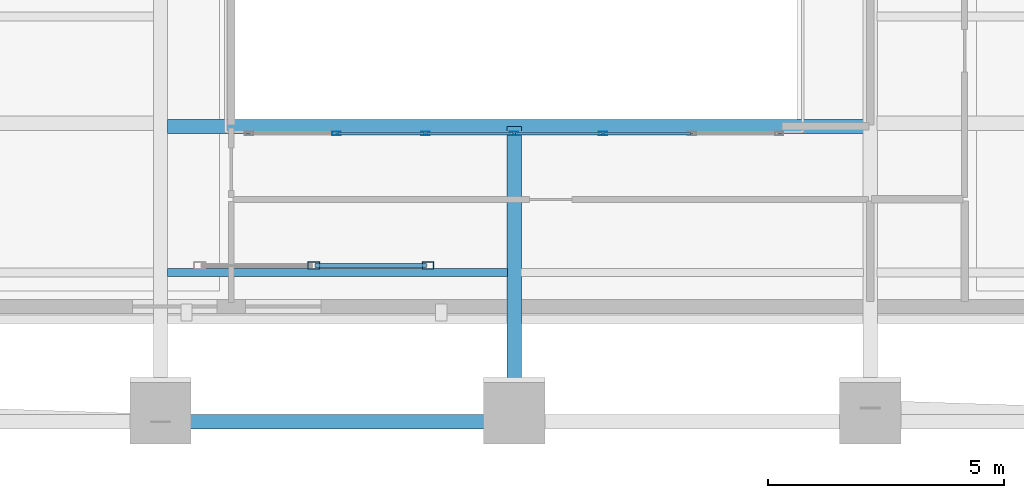
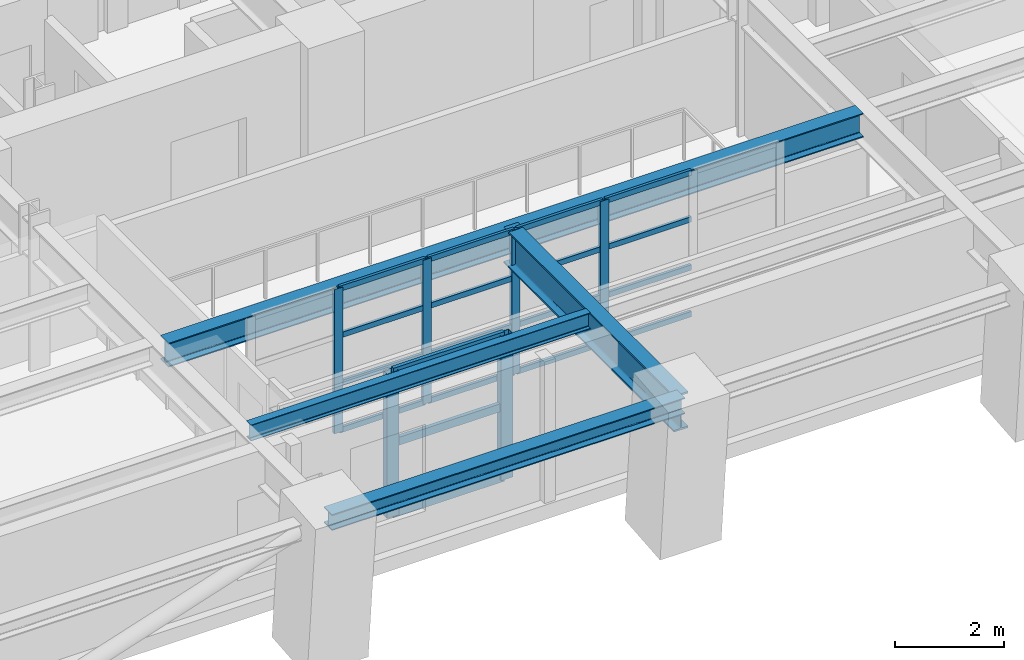
# One storey, part 3 of 15: 25 members, 4 beams, 2 elements without a shape of their own.
"""IFC4 building model written with IfcOpenShell, lengths in metres."""

import ifcopenshell
import ifcopenshell.guid

model = None  # the IFC model being written
_history = None  # IfcOwnerHistory: only IFC2X3 demands one
_inside = {}  # id of a spatial element -> (the spatial element, [elements in it])
_under = {}  # id of a project, library or spatial element -> (it, [spatial elements below it])
_declared = {}  # id of a project -> (the project, [libraries it declares])
_typed = {}  # id of a type object -> (the type object, [elements of that type])
_made_of = {}  # id of a material, layer set ... -> (it, [elements and type objects made of it])


def new_model(schema):
    """Start an empty IFC model of exactly this schema.

    Asked for "IFC4X3", IfcOpenShell would pick the latest addendum, in which some entities
    have other attributes; the version numbers below select the first issue.
    IFC2X3 requires an IfcOwnerHistory on every rooted entity: one is made here for all.
    """
    global model, _history
    if schema == "IFC4X3":
        model = ifcopenshell.file(schema_version=(4, 3, 0, 0))
    else:
        model = ifcopenshell.file(schema=schema)
    _inside.clear()
    _under.clear()
    _declared.clear()
    _typed.clear()
    _made_of.clear()
    _history = None
    if model.schema == "IFC2X3":
        org = make("IfcOrganization", Name="unknown")
        user = make(
            "IfcPersonAndOrganization",
            ThePerson=make("IfcPerson", FamilyName="unknown"),
            TheOrganization=org,
        )
        app = make(
            "IfcApplication",
            ApplicationDeveloper=org,
            Version="unknown",
            ApplicationFullName="unknown",
            ApplicationIdentifier="unknown",
        )
        _history = make(
            "IfcOwnerHistory",
            OwningUser=user,
            OwningApplication=app,
            ChangeAction="ADDED",
            CreationDate=0,
        )
    return model


def make(cls, **values):
    """One entity of the class cls with the attributes given. An attribute that is None is left unset."""
    return model.create_entity(
        cls, **{name: value for name, value in values.items() if value is not None}
    )


def rooted(cls, **values):
    """An entity with a GlobalId (a new one), such as an element, a storey or a relation."""
    return make(cls, GlobalId=ifcopenshell.guid.new(), OwnerHistory=_history, **values)


def si_unit(unit_type, name, prefix=None):
    """IfcSIUnit, for example si_unit("LENGTHUNIT", "METRE", prefix="MILLI")."""
    return make("IfcSIUnit", UnitType=unit_type, Prefix=prefix, Name=name)


def assignment(units):
    """IfcUnitAssignment: the units of a project."""
    return None if units is None else make("IfcUnitAssignment", Units=units)


def point(xyz):
    """IfcCartesianPoint."""
    return None if xyz is None else make("IfcCartesianPoint", Coordinates=xyz)


def direction(xyz):
    """IfcDirection."""
    return None if xyz is None else make("IfcDirection", DirectionRatios=xyz)


def frame(location, z_axis=None, x_axis=None):
    """IfcAxis2Placement3D, a coordinate frame: its origin and axes. An axis left out is left unset."""
    return make(
        "IfcAxis2Placement3D",
        Location=point(location),
        Axis=direction(z_axis),
        RefDirection=direction(x_axis),
    )


def frame_2d(location, x_axis=None):
    """IfcAxis2Placement2D, a coordinate frame in the plane: its origin and x axis."""
    return make(
        "IfcAxis2Placement2D", Location=point(location), RefDirection=direction(x_axis)
    )


def origin():
    """The frame at (0, 0, 0) with its axes left unset."""
    return frame((0.0, 0.0, 0.0))


def origin_2d():
    """The frame at (0, 0) in the plane with its x axis left unset."""
    return frame_2d((0.0, 0.0))


def place(relative_to, where):
    """IfcLocalPlacement: puts the frame where relative to a parent placement (None: the world)."""
    return make(
        "IfcLocalPlacement", PlacementRelTo=relative_to, RelativePlacement=where
    )


def context(
    kind, dimensions, precision=None, world=None, true_north=None, identifier=None
):
    """IfcGeometricRepresentationContext, for example the 3D "Model" context."""
    return make(
        "IfcGeometricRepresentationContext",
        ContextIdentifier=identifier,
        ContextType=kind,
        CoordinateSpaceDimension=dimensions,
        Precision=precision,
        WorldCoordinateSystem=world,
        TrueNorth=true_north,
    )


def subcontext(parent, identifier, kind, view, scale=None):
    """IfcGeometricRepresentationSubContext, for example "Body" below "Model"."""
    return make(
        "IfcGeometricRepresentationSubContext",
        ContextIdentifier=identifier,
        ContextType=kind,
        ParentContext=parent,
        TargetScale=scale,
        TargetView=view,
    )


def project(units=None, contexts=None):
    """IfcProject with its units and contexts."""
    return rooted(
        "IfcProject",
        Name="project",
        RepresentationContexts=contexts,
        UnitsInContext=assignment(units),
    )


def spatial(cls, under=None, at=None, **own):
    """A site, building, storey or space (cls), placed at a placement, below another one or the project."""
    s = rooted(cls, ObjectPlacement=at, **own)
    if under is not None:
        _under.setdefault(under.id(), (under, []))[1].append(s)
    return s


def profile(cls, at=None, kind="AREA", **sizes):
    """A parametric profile (cls). Its sizes go by their IFC names, for example OverallWidth=200.0."""
    return make(cls, ProfileType=kind, Position=at, **sizes)


def hollow_rectangle(**sizes):
    """IfcRectangleHollowProfileDef."""
    return profile("IfcRectangleHollowProfileDef", **sizes)


def i_section(**sizes):
    """IfcIShapeProfileDef."""
    return profile("IfcIShapeProfileDef", **sizes)


def extrude(swept, where, along, depth):
    """IfcExtrudedAreaSolid: the profile swept, set in the frame where, extruded along a direction by depth."""
    return make(
        "IfcExtrudedAreaSolid",
        SweptArea=swept,
        Position=where,
        ExtrudedDirection=direction(along),
        Depth=depth,
    )


def shape(context_of_items, identifier, shape_type, items):
    """IfcShapeRepresentation: the items that make up one representation, for example the "Body"."""
    return make(
        "IfcShapeRepresentation",
        ContextOfItems=context_of_items,
        RepresentationIdentifier=identifier,
        RepresentationType=shape_type,
        Items=items,
    )


def material(Name=None, Category=None):
    """IfcMaterial."""
    return make("IfcMaterial", Name=Name, Category=Category)


def layer(
    of_material, thickness, ventilated=None, Name=None, Category=None, Priority=None
):
    """IfcMaterialLayer: one layer of a wall or slab, of a material (None: an air gap)."""
    return make(
        "IfcMaterialLayer",
        Material=of_material,
        LayerThickness=thickness,
        IsVentilated=ventilated,
        Name=Name,
        Category=Category,
        Priority=Priority,
    )


def layer_set(layers, Name=None):
    """IfcMaterialLayerSet."""
    return make("IfcMaterialLayerSet", MaterialLayers=layers, LayerSetName=Name)


def material_profile(
    of_material, cross_section, Name=None, Category=None, Priority=None
):
    """IfcMaterialProfile: a cross section and its material."""
    return make(
        "IfcMaterialProfile",
        Name=Name,
        Material=of_material,
        Profile=cross_section,
        Priority=Priority,
        Category=Category,
    )


def profile_set(profiles, Name=None, composite=None):
    """IfcMaterialProfileSet."""
    return make(
        "IfcMaterialProfileSet",
        Name=Name,
        MaterialProfiles=profiles,
        CompositeProfile=composite,
    )


def made_of(thing, what):
    """Note that an element or type object is made of a material, layer set ...; save() writes the relation."""
    if what is not None:
        _made_of.setdefault(what.id(), (what, []))[1].append(thing)
    return thing


def type_object(cls, material=None, **own):
    """A type object (cls), such as IfcWallType, which elements share."""
    return made_of(rooted(cls, **own), material)


def element(
    cls,
    number,
    at=None,
    inside=None,
    cuts=None,
    type_object=None,
    material=None,
    context=None,
    identifier="Body",
    shape_type=None,
    held_by="IfcProductDefinitionShape",
    body=None,
    shapes=None,
    **own,
):
    """One element of the class cls, such as IfcWall. Its Tag is "e" and its number.

    at: its placement. inside: the storey or other place that contains it. cuts: it is an
    opening in that element (IfcRelVoidsElement). A single representation is given by context,
    identifier, shape_type and body (its items); several are given by shapes. held_by: the class
    of the entity that holds the representations. save() writes the other relations.
    """
    e = rooted(cls, Tag="e%d" % number, ObjectPlacement=at, **own)
    if body is not None:
        shapes = [shape(context, identifier, shape_type, body)]
    if shapes is not None:
        e.Representation = make(held_by, Representations=shapes)
    if inside is not None:
        _inside.setdefault(inside.id(), (inside, []))[1].append(e)
    if cuts is not None:
        rooted(
            "IfcRelVoidsElement", RelatingBuildingElement=cuts, RelatedOpeningElement=e
        )
    if type_object is not None:
        _typed.setdefault(type_object.id(), (type_object, []))[1].append(e)
    return made_of(e, material)


def aggregate(whole, parts):
    """IfcRelAggregates: a whole, such as a stair, and the parts it consists of."""
    return rooted("IfcRelAggregates", RelatingObject=whole, RelatedObjects=parts)


def save(model, path):
    """Write the relations noted so far, then the file.

    IfcRelAggregates (storeys below a building ...), IfcRelContainedInSpatialStructure (elements
    in a storey), IfcRelDefinesByType, IfcRelAssociatesMaterial and IfcRelDeclares: one each for
    every whole, place, type object, material and project.
    """
    for whole, parts in _under.values():
        aggregate(whole, parts)
    for where, things in _inside.values():
        rooted(
            "IfcRelContainedInSpatialStructure",
            RelatedElements=things,
            RelatingStructure=where,
        )
    for kind, things in _typed.values():
        rooted("IfcRelDefinesByType", RelatedObjects=things, RelatingType=kind)
    for what, things in _made_of.values():
        rooted("IfcRelAssociatesMaterial", RelatedObjects=things, RelatingMaterial=what)
    for by, libraries in _declared.values():
        rooted("IfcRelDeclares", RelatingContext=by, RelatedDefinitions=libraries)
    model.write(path)


model = new_model("IFC4")

# Units and contexts
model_context = context("Model", 3, precision=1e-05, world=origin(), true_north=direction((0.0, 1.0)))
body_context = subcontext(model_context, "Body", "Model", "MODEL_VIEW")
ifc_project = project(units=[si_unit("LENGTHUNIT", "METRE"), si_unit("AREAUNIT", "SQUARE_METRE"), si_unit("VOLUMEUNIT", "CUBIC_METRE"), si_unit("PLANEANGLEUNIT", "RADIAN"), si_unit("MASSUNIT", "GRAM", prefix="KILO")], contexts=[model_context])

# Site, building, storey
site_placement = place(None, origin())
site = spatial("IfcSite", under=ifc_project, at=site_placement, CompositionType="ELEMENT")
building_placement = place(site_placement, origin())
building = spatial("IfcBuilding", under=site, at=building_placement, Name="Zarnavel Station Tower", CompositionType="ELEMENT")
storey_placement = place(building_placement, frame((0.0, 0.0, 125.800048828125)))
storey = spatial("IfcBuildingStorey", under=building, at=storey_placement, Name="L34", CompositionType="ELEMENT", Elevation=125.800048828125)

# Curtain wall, members
ifc_material_1 = material(Name="Aluminium Dark Anodised and Solar-Control Glass", Category="aluminium")
ifc_layer_1 = layer(ifc_material_1, 0.179931640625)
ifc_layer_set_1 = layer_set([ifc_layer_1], Name="CWS3")
curtain_wall_type_1 = type_object("IfcCurtainWallType", Name="CWS3", PredefinedType="NOTDEFINED", material=ifc_layer_set_1)
curtain_wall_1_placement = place(storey_placement, origin())
curtain_wall_1 = element("IfcCurtainWall", 1, at=curtain_wall_1_placement, inside=storey, type_object=curtain_wall_type_1, Name="L34 Curtain Wall CWS3-L34-AS", PredefinedType="NOTDEFINED")
ifc_material_2 = material(Name="Steel S355J2 (Black Fluoropolymer Coated)", Category="steel")
ifc_material_profile_1 = material_profile(ifc_material_2, hollow_rectangle(XDim=0.080078125, YDim=0.179931640625, WallThickness=0.00634765625, at=origin_2d()), Name="RHS180x80x6.3")
ifc_profile_set_1 = profile_set([ifc_material_profile_1], Name="Steel S355J2 (Black Fluoropolymer Coated)")
member_type_1 = type_object("IfcMemberType", Name="CWS3_MUL", PredefinedType="MULLION", material=ifc_profile_set_1)
member_1_placement = place(storey_placement, frame((25.033447265625, 20.64990234375, 0.0), z_axis=(0.0, 0.0, 1.0), x_axis=(0.0, 1.0, 0.0)))
member_1 = element("IfcMember", 2, at=member_1_placement, type_object=member_type_1, Name="CW3 mullion 2", PredefinedType="MULLION", context=body_context, shape_type="SweptSolid", body=[
    extrude(hollow_rectangle(XDim=0.080078125, YDim=0.179931640625, WallThickness=0.00634765625, at=origin_2d()), origin(), (0.0, 0.0, 1.0), 3.239990234375),
])
member_2_placement = place(storey_placement, frame((26.916748046875, 20.64990234375, 0.0), z_axis=(0.0, 0.0, 1.0), x_axis=(0.0, 1.0, 0.0)))
member_2 = element("IfcMember", 3, at=member_2_placement, type_object=member_type_1, Name="CW3 mullion 3", PredefinedType="MULLION", context=body_context, shape_type="SweptSolid", body=[
    extrude(hollow_rectangle(XDim=0.080078125, YDim=0.179931640625, WallThickness=0.00634765625, at=origin_2d()), origin(), (0.0, 0.0, 1.0), 3.239990234375),
])
member_3_placement = place(storey_placement, frame((28.800048828125, 20.64990234375, 0.0), z_axis=(0.0, 0.0, 1.0), x_axis=(0.0, 1.0, 0.0)))
member_3 = element("IfcMember", 4, at=member_3_placement, type_object=member_type_1, Name="CW3 mullion 4", PredefinedType="MULLION", context=body_context, shape_type="SweptSolid", body=[
    extrude(hollow_rectangle(XDim=0.080078125, YDim=0.179931640625, WallThickness=0.00634765625, at=origin_2d()), origin(), (0.0, 0.0, 1.0), 3.239990234375),
])
member_4_placement = place(storey_placement, frame((30.683349609375, 20.64990234375, 0.0), z_axis=(0.0, 0.0, 1.0), x_axis=(0.0, 1.0, 0.0)))
member_4 = element("IfcMember", 5, at=member_4_placement, type_object=member_type_1, Name="CW3 mullion 5", PredefinedType="MULLION", context=body_context, shape_type="SweptSolid", body=[
    extrude(hollow_rectangle(XDim=0.080078125, YDim=0.179931640625, WallThickness=0.00634765625, at=origin_2d()), origin(), (0.0, 0.0, 1.0), 3.239990234375),
])
ifc_material_3 = material(Name="Steel S355J2 (Black Fluoropolymer Coated)", Category="steel")
ifc_material_profile_2 = material_profile(ifc_material_3, hollow_rectangle(XDim=0.06005859375, YDim=0.1201171875, WallThickness=0.0048828125, at=origin_2d()), Name="RHS120x60x5")
ifc_profile_set_2 = profile_set([ifc_material_profile_2], Name="Steel S355J2 (Black Fluoropolymer Coated)")
member_type_2 = type_object("IfcMemberType", Name="CWS3_TRN", PredefinedType="USERDEFINED", material=ifc_profile_set_2)
member_5_placement = place(storey_placement, frame((25.063232421875, 20.64990234375, 0.030029296875), z_axis=(1.0, 0.0, 0.0), x_axis=(0.0, 1.0, 0.0)))
member_5 = element("IfcMember", 6, at=member_5_placement, type_object=member_type_2, Name="CW3 transom 2.1", ObjectType="TRANSOM", PredefinedType="USERDEFINED", context=body_context, shape_type="SweptSolid", body=[
    extrude(hollow_rectangle(XDim=0.06005859375, YDim=0.1201171875, WallThickness=0.0048828125, at=origin_2d()), origin(), (0.0, 0.0, 1.0), 1.823486328125),
])
member_6_placement = place(storey_placement, frame((25.063232421875, 20.64990234375, 1.079833984375), z_axis=(1.0, 0.0, 0.0), x_axis=(0.0, 1.0, 0.0)))
member_6 = element("IfcMember", 7, at=member_6_placement, type_object=member_type_2, Name="CW3 transom 2.2", ObjectType="TRANSOM", PredefinedType="USERDEFINED", context=body_context, shape_type="SweptSolid", body=[
    extrude(hollow_rectangle(XDim=0.06005859375, YDim=0.1201171875, WallThickness=0.0048828125, at=origin_2d()), origin(), (0.0, 0.0, 1.0), 1.823486328125),
])
member_7_placement = place(storey_placement, frame((25.063232421875, 20.64990234375, 2.159912109375), z_axis=(1.0, 0.0, 0.0), x_axis=(0.0, 1.0, 0.0)))
member_7 = element("IfcMember", 8, at=member_7_placement, type_object=member_type_2, Name="CW3 transom 2.3", ObjectType="TRANSOM", PredefinedType="USERDEFINED", context=body_context, shape_type="SweptSolid", body=[
    extrude(hollow_rectangle(XDim=0.06005859375, YDim=0.1201171875, WallThickness=0.0048828125, at=origin_2d()), origin(), (0.0, 0.0, 1.0), 1.823486328125),
])
member_8_placement = place(storey_placement, frame((25.063232421875, 20.64990234375, 3.2099609375), z_axis=(1.0, 0.0, 0.0), x_axis=(0.0, 1.0, 0.0)))
member_8 = element("IfcMember", 9, at=member_8_placement, type_object=member_type_2, Name="CW3 transom 2.4", ObjectType="TRANSOM", PredefinedType="USERDEFINED", context=body_context, shape_type="SweptSolid", body=[
    extrude(hollow_rectangle(XDim=0.06005859375, YDim=0.1201171875, WallThickness=0.0048828125, at=origin_2d()), origin(), (0.0, 0.0, 1.0), 1.823486328125),
])
member_9_placement = place(storey_placement, frame((26.94677734375, 20.64990234375, 0.030029296875), z_axis=(1.0, 0.0, 0.0), x_axis=(0.0, 1.0, 0.0)))
member_9 = element("IfcMember", 10, at=member_9_placement, type_object=member_type_2, Name="CW3 transom 3.1", ObjectType="TRANSOM", PredefinedType="USERDEFINED", context=body_context, shape_type="SweptSolid", body=[
    extrude(hollow_rectangle(XDim=0.06005859375, YDim=0.1201171875, WallThickness=0.0048828125, at=origin_2d()), origin(), (0.0, 0.0, 1.0), 1.8232421875),
])
member_10_placement = place(storey_placement, frame((26.94677734375, 20.64990234375, 1.079833984375), z_axis=(1.0, 0.0, 0.0), x_axis=(0.0, 1.0, 0.0)))
member_10 = element("IfcMember", 11, at=member_10_placement, type_object=member_type_2, Name="CW3 transom 3.2", ObjectType="TRANSOM", PredefinedType="USERDEFINED", context=body_context, shape_type="SweptSolid", body=[
    extrude(hollow_rectangle(XDim=0.06005859375, YDim=0.1201171875, WallThickness=0.0048828125, at=origin_2d()), origin(), (0.0, 0.0, 1.0), 1.8232421875),
])
member_11_placement = place(storey_placement, frame((26.94677734375, 20.64990234375, 2.159912109375), z_axis=(1.0, 0.0, 0.0), x_axis=(0.0, 1.0, 0.0)))
member_11 = element("IfcMember", 12, at=member_11_placement, type_object=member_type_2, Name="CW3 transom 3.3", ObjectType="TRANSOM", PredefinedType="USERDEFINED", context=body_context, shape_type="SweptSolid", body=[
    extrude(hollow_rectangle(XDim=0.06005859375, YDim=0.1201171875, WallThickness=0.0048828125, at=origin_2d()), origin(), (0.0, 0.0, 1.0), 1.8232421875),
])
member_12_placement = place(storey_placement, frame((26.94677734375, 20.64990234375, 3.2099609375), z_axis=(1.0, 0.0, 0.0), x_axis=(0.0, 1.0, 0.0)))
member_12 = element("IfcMember", 13, at=member_12_placement, type_object=member_type_2, Name="CW3 transom 3.4", ObjectType="TRANSOM", PredefinedType="USERDEFINED", context=body_context, shape_type="SweptSolid", body=[
    extrude(hollow_rectangle(XDim=0.06005859375, YDim=0.1201171875, WallThickness=0.0048828125, at=origin_2d()), origin(), (0.0, 0.0, 1.0), 1.8232421875),
])
member_13_placement = place(storey_placement, frame((28.830078125, 20.64990234375, 0.030029296875), z_axis=(1.0, 0.0, 0.0), x_axis=(0.0, 1.0, 0.0)))
member_13 = element("IfcMember", 14, at=member_13_placement, type_object=member_type_2, Name="CW3 transom 4.1", ObjectType="TRANSOM", PredefinedType="USERDEFINED", context=body_context, shape_type="SweptSolid", body=[
    extrude(hollow_rectangle(XDim=0.06005859375, YDim=0.1201171875, WallThickness=0.0048828125, at=origin_2d()), origin(), (0.0, 0.0, 1.0), 1.8232421875),
])
member_14_placement = place(storey_placement, frame((28.830078125, 20.64990234375, 1.079833984375), z_axis=(1.0, 0.0, 0.0), x_axis=(0.0, 1.0, 0.0)))
member_14 = element("IfcMember", 15, at=member_14_placement, type_object=member_type_2, Name="CW3 transom 4.2", ObjectType="TRANSOM", PredefinedType="USERDEFINED", context=body_context, shape_type="SweptSolid", body=[
    extrude(hollow_rectangle(XDim=0.06005859375, YDim=0.1201171875, WallThickness=0.0048828125, at=origin_2d()), origin(), (0.0, 0.0, 1.0), 1.8232421875),
])
member_15_placement = place(storey_placement, frame((28.830078125, 20.64990234375, 2.159912109375), z_axis=(1.0, 0.0, 0.0), x_axis=(0.0, 1.0, 0.0)))
member_15 = element("IfcMember", 16, at=member_15_placement, type_object=member_type_2, Name="CW3 transom 4.3", ObjectType="TRANSOM", PredefinedType="USERDEFINED", context=body_context, shape_type="SweptSolid", body=[
    extrude(hollow_rectangle(XDim=0.06005859375, YDim=0.1201171875, WallThickness=0.0048828125, at=origin_2d()), origin(), (0.0, 0.0, 1.0), 1.8232421875),
])
member_16_placement = place(storey_placement, frame((28.830078125, 20.64990234375, 3.2099609375), z_axis=(1.0, 0.0, 0.0), x_axis=(0.0, 1.0, 0.0)))
member_16 = element("IfcMember", 17, at=member_16_placement, type_object=member_type_2, Name="CW3 transom 4.4", ObjectType="TRANSOM", PredefinedType="USERDEFINED", context=body_context, shape_type="SweptSolid", body=[
    extrude(hollow_rectangle(XDim=0.06005859375, YDim=0.1201171875, WallThickness=0.0048828125, at=origin_2d()), origin(), (0.0, 0.0, 1.0), 1.8232421875),
])
member_17_placement = place(storey_placement, frame((30.71337890625, 20.64990234375, 0.030029296875), z_axis=(1.0, 0.0, 0.0), x_axis=(0.0, 1.0, 0.0)))
member_17 = element("IfcMember", 18, at=member_17_placement, type_object=member_type_2, Name="CW3 transom 5.1", ObjectType="TRANSOM", PredefinedType="USERDEFINED", context=body_context, shape_type="SweptSolid", body=[
    extrude(hollow_rectangle(XDim=0.06005859375, YDim=0.1201171875, WallThickness=0.0048828125, at=origin_2d()), origin(), (0.0, 0.0, 1.0), 1.8232421875),
])
member_18_placement = place(storey_placement, frame((30.71337890625, 20.64990234375, 1.079833984375), z_axis=(1.0, 0.0, 0.0), x_axis=(0.0, 1.0, 0.0)))
member_18 = element("IfcMember", 19, at=member_18_placement, type_object=member_type_2, Name="CW3 transom 5.2", ObjectType="TRANSOM", PredefinedType="USERDEFINED", context=body_context, shape_type="SweptSolid", body=[
    extrude(hollow_rectangle(XDim=0.06005859375, YDim=0.1201171875, WallThickness=0.0048828125, at=origin_2d()), origin(), (0.0, 0.0, 1.0), 1.8232421875),
])
member_19_placement = place(storey_placement, frame((30.71337890625, 20.64990234375, 2.159912109375), z_axis=(1.0, 0.0, 0.0), x_axis=(0.0, 1.0, 0.0)))
member_19 = element("IfcMember", 20, at=member_19_placement, type_object=member_type_2, Name="CW3 transom 5.3", ObjectType="TRANSOM", PredefinedType="USERDEFINED", context=body_context, shape_type="SweptSolid", body=[
    extrude(hollow_rectangle(XDim=0.06005859375, YDim=0.1201171875, WallThickness=0.0048828125, at=origin_2d()), origin(), (0.0, 0.0, 1.0), 1.8232421875),
])
member_20_placement = place(storey_placement, frame((30.71337890625, 20.64990234375, 3.2099609375), z_axis=(1.0, 0.0, 0.0), x_axis=(0.0, 1.0, 0.0)))
member_20 = element("IfcMember", 21, at=member_20_placement, type_object=member_type_2, Name="CW3 transom 5.4", ObjectType="TRANSOM", PredefinedType="USERDEFINED", context=body_context, shape_type="SweptSolid", body=[
    extrude(hollow_rectangle(XDim=0.06005859375, YDim=0.1201171875, WallThickness=0.0048828125, at=origin_2d()), origin(), (0.0, 0.0, 1.0), 1.8232421875),
])
aggregate(curtain_wall_1, [member_1, member_2, member_3, member_4, member_5, member_6, member_7, member_8, member_9, member_10, member_11, member_12, member_13, member_14, member_15, member_16, member_17, member_18, member_19, member_20])

ifc_material_4 = material(Name="Aluminium Dark Anodised and Solar-Control Glass", Category="aluminium")
ifc_layer_2 = layer(ifc_material_4, 0.179931640625)
ifc_layer_set_2 = layer_set([ifc_layer_2], Name="CWS6")
curtain_wall_type_2 = type_object("IfcCurtainWallType", Name="CWS6", PredefinedType="NOTDEFINED", material=ifc_layer_set_2)
curtain_wall_2_placement = place(storey_placement, origin())
curtain_wall_2 = element("IfcCurtainWall", 22, at=curtain_wall_2_placement, inside=storey, type_object=curtain_wall_type_2, Name="L34 Curtain Wall CWS6-LOG-L34", PredefinedType="NOTDEFINED")
ifc_material_5 = material(Name="Steel S355J2 (Black Fluoropolymer Coated)", Category="steel")
ifc_material_profile_3 = material_profile(ifc_material_5, hollow_rectangle(XDim=0.14990234375, YDim=0.25, WallThickness=0.010009765625, at=origin_2d()), Name="RHS250x150x10")
ifc_profile_set_3 = profile_set([ifc_material_profile_3], Name="Steel S355J2 (Black Fluoropolymer Coated)")
member_type_3 = type_object("IfcMemberType", Name="CWS6_MUL", PredefinedType="MULLION", material=ifc_profile_set_3)
member_21_placement = place(storey_placement, frame((24.550048828125, 17.85009765625, 0.0), z_axis=(0.0, 0.0, 1.0), x_axis=(0.0, 1.0, 0.0)))
member_21 = element("IfcMember", 23, at=member_21_placement, type_object=member_type_3, Name="CW6 mullion 2", PredefinedType="MULLION", context=body_context, shape_type="SweptSolid", body=[
    extrude(hollow_rectangle(XDim=0.14990234375, YDim=0.25, WallThickness=0.010009765625, at=origin_2d()), origin(), (0.0, 0.0, 1.0), 3.239990234375),
])
member_22_placement = place(storey_placement, frame((26.969970703125, 17.85009765625, 0.0), z_axis=(0.0, 0.0, 1.0), x_axis=(0.0, 1.0, 0.0)))
member_22 = element("IfcMember", 24, at=member_22_placement, type_object=member_type_3, Name="CW6 mullion 3", PredefinedType="MULLION", context=body_context, shape_type="SweptSolid", body=[
    extrude(hollow_rectangle(XDim=0.14990234375, YDim=0.25, WallThickness=0.010009765625, at=origin_2d()), origin(), (0.0, 0.0, 1.0), 3.239990234375),
])
ifc_material_6 = material(Name="Steel S355J2 (Black Fluoropolymer Coated)", Category="steel")
ifc_material_profile_4 = material_profile(ifc_material_6, hollow_rectangle(XDim=0.080078125, YDim=0.179931640625, WallThickness=0.00634765625, at=origin_2d()), Name="RHS180x80x6.3")
ifc_profile_set_4 = profile_set([ifc_material_profile_4], Name="Steel S355J2 (Black Fluoropolymer Coated)")
member_type_4 = type_object("IfcMemberType", Name="CWS6_TRN", PredefinedType="USERDEFINED", material=ifc_profile_set_4)
member_23_placement = place(storey_placement, frame((24.580078125, 17.85009765625, 0.030029296875), z_axis=(1.0, 0.0, 0.0), x_axis=(0.0, 1.0, 0.0)))
member_23 = element("IfcMember", 25, at=member_23_placement, type_object=member_type_4, Name="CW6 transom 2.1", ObjectType="TRANSOM", PredefinedType="USERDEFINED", context=body_context, shape_type="SweptSolid", body=[
    extrude(hollow_rectangle(XDim=0.080078125, YDim=0.179931640625, WallThickness=0.00634765625, at=origin_2d()), origin(), (0.0, 0.0, 1.0), 2.35986328125),
])
member_24_placement = place(storey_placement, frame((24.580078125, 17.85009765625, 1.619873046875), z_axis=(1.0, 0.0, 0.0), x_axis=(0.0, 1.0, 0.0)))
member_24 = element("IfcMember", 26, at=member_24_placement, type_object=member_type_4, Name="CW6 transom 2.2", ObjectType="TRANSOM", PredefinedType="USERDEFINED", context=body_context, shape_type="SweptSolid", body=[
    extrude(hollow_rectangle(XDim=0.080078125, YDim=0.179931640625, WallThickness=0.00634765625, at=origin_2d()), origin(), (0.0, 0.0, 1.0), 2.35986328125),
])
member_25_placement = place(storey_placement, frame((24.580078125, 17.85009765625, 3.2099609375), z_axis=(1.0, 0.0, 0.0), x_axis=(0.0, 1.0, 0.0)))
member_25 = element("IfcMember", 27, at=member_25_placement, type_object=member_type_4, Name="CW6 transom 2.3", ObjectType="TRANSOM", PredefinedType="USERDEFINED", context=body_context, shape_type="SweptSolid", body=[
    extrude(hollow_rectangle(XDim=0.080078125, YDim=0.179931640625, WallThickness=0.00634765625, at=origin_2d()), origin(), (0.0, 0.0, 1.0), 2.35986328125),
])
aggregate(curtain_wall_2, [member_21, member_22, member_23, member_24, member_25])

# Beams
ifc_material_7 = material(Name="Steel S355J2", Category="steel")
ifc_material_profile_5 = material_profile(ifc_material_7, i_section(OverallWidth=0.300048828125, OverallDepth=0.360107421875, WebThickness=0.012451171875, FlangeThickness=0.0224609375, FilletRadius=0.027099609375, at=origin_2d()), Name="HEB360")
ifc_profile_set_5 = profile_set([ifc_material_profile_5], Name="Steel S355J2")
beam_type_1 = type_object("IfcBeamType", Name="EB_HEB360", PredefinedType="SPANDREL", material=ifc_profile_set_5)
beam_1_placement = place(storey_placement, frame((21.300048828125, 14.534423828125, 3.06005859375), z_axis=(1.0, 0.0, 0.0), x_axis=(0.0, 1.0, 0.0)))
element("IfcBeam", 28, at=beam_1_placement, inside=storey, type_object=beam_type_1, Name="L34 South Raked Spandrel 2", PredefinedType="SPANDREL", context=body_context, shape_type="SweptSolid", body=[
    extrude(i_section(OverallWidth=0.300048828125, OverallDepth=0.360107421875, WebThickness=0.012451171875, FlangeThickness=0.0224609375, FilletRadius=0.027099609375, at=origin_2d()), origin(), (0.0, 0.0, 1.0), 7.5),
])
ifc_material_8 = material(Name="Steel S355J2", Category="steel")
ifc_material_profile_6 = material_profile(ifc_material_8, i_section(OverallWidth=0.300048828125, OverallDepth=0.5400390625, WebThickness=0.012451171875, FlangeThickness=0.02392578125, FilletRadius=0.027099609375, at=origin_2d()), Name="HEA550")
ifc_profile_set_6 = profile_set([ifc_material_profile_6], Name="Steel S355J2")
beam_type_2 = type_object("IfcBeamType", Name="FB_HEA550", PredefinedType="BEAM", material=ifc_profile_set_6)
beam_2_placement = place(storey_placement, frame((21.445068359375, 20.800048828125, 2.969970703125), z_axis=(1.0, 0.0, 0.0), x_axis=(0.0, 1.0, 0.0)))
element("IfcBeam", 29, at=beam_2_placement, inside=storey, type_object=beam_type_2, Name="L34 Atrium South Edge Girder", PredefinedType="BEAM", context=body_context, shape_type="SweptSolid", body=[
    extrude(i_section(OverallWidth=0.300048828125, OverallDepth=0.5400390625, WebThickness=0.012451171875, FlangeThickness=0.02392578125, FilletRadius=0.027099609375, at=origin_2d()), origin(), (0.0, 0.0, 1.0), 14.760009765625),
])
ifc_material_9 = material(Name="Steel S460M", Category="steel")
ifc_material_profile_7 = material_profile(ifc_material_9, i_section(OverallWidth=0.302978515625, OverallDepth=0.81396484375, WebThickness=0.02099609375, FlangeThickness=0.0400390625, FilletRadius=0.030029296875, at=origin_2d()), Name="HEM800")
ifc_profile_set_7 = profile_set([ifc_material_profile_7], Name="Steel S460M")
beam_type_3 = type_object("IfcBeamType", Name="FG_HEM800", PredefinedType="USERDEFINED", material=ifc_profile_set_7)
beam_3_placement = place(storey_placement, frame((28.800048828125, 14.534423828125, 2.8330078125), z_axis=(0.0, 1.0, 0.0), x_axis=(-1.0, 0.0, 0.0)))
element("IfcBeam", 30, at=beam_3_placement, inside=storey, type_object=beam_type_3, Name="L34 Central Atrium-South Girder", ObjectType="GIRDER", PredefinedType="USERDEFINED", context=body_context, shape_type="SweptSolid", body=[
    extrude(i_section(OverallWidth=0.302978515625, OverallDepth=0.81396484375, WebThickness=0.02099609375, FlangeThickness=0.0400390625, FilletRadius=0.030029296875, at=origin_2d()), origin(), (0.0, 0.0, 1.0), 6.265625),
])
ifc_material_10 = material(Name="Steel S355J2", Category="steel")
ifc_material_profile_8 = material_profile(ifc_material_10, i_section(OverallWidth=0.169921875, OverallDepth=0.360107421875, WebThickness=0.008056640625, FlangeThickness=0.0126953125, FilletRadius=0.01806640625, at=origin_2d()), Name="IPE360")
ifc_profile_set_8 = profile_set([ifc_material_profile_8], Name="Steel S355J2")
beam_type_4 = type_object("IfcBeamType", Name="FJ_IPE360", PredefinedType="JOIST", material=ifc_profile_set_8)
beam_4_placement = place(storey_placement, frame((21.445068359375, 17.70068359375, 3.06005859375), z_axis=(1.0, 0.0, 0.0), x_axis=(0.0, 1.0, 0.0)))
element("IfcBeam", 31, at=beam_4_placement, inside=storey, type_object=beam_type_4, Name="L34 Mid-West Joist 1", PredefinedType="JOIST", context=body_context, shape_type="SweptSolid", body=[
    extrude(i_section(OverallWidth=0.169921875, OverallDepth=0.360107421875, WebThickness=0.008056640625, FlangeThickness=0.0126953125, FilletRadius=0.01806640625, at=origin_2d()), origin(), (0.0, 0.0, 1.0), 7.2099609375),
])

save(model, "model.ifc")
